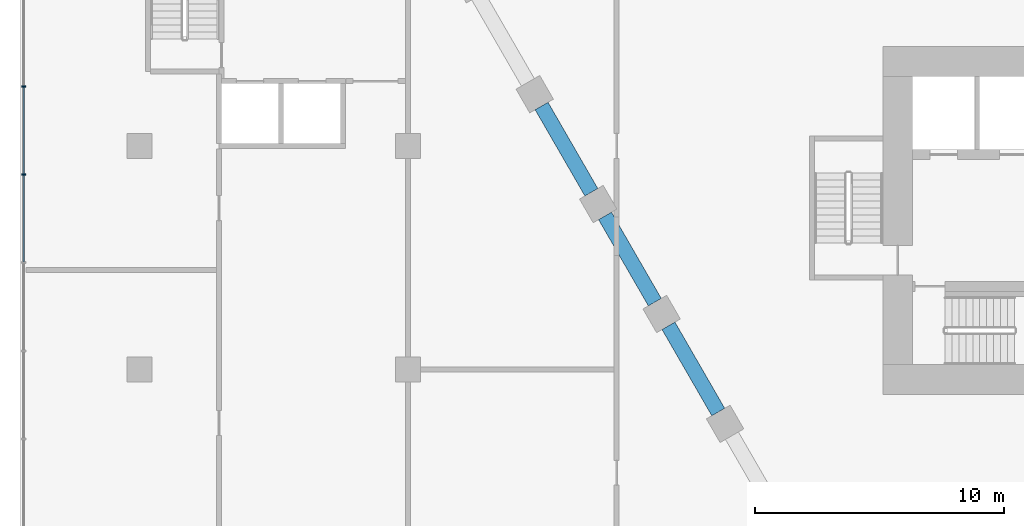
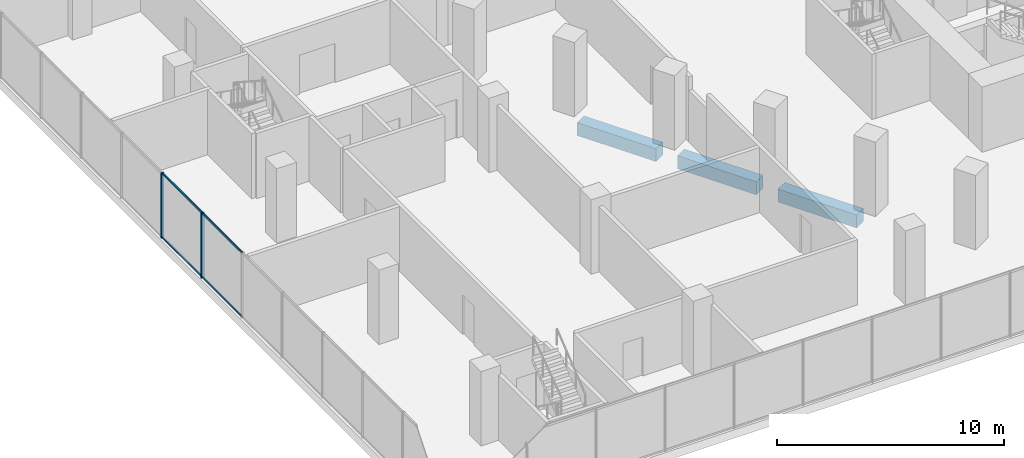
# One storey, part 4 of 45: 6 members, 3 beams, 1 element without a shape of its own.
"""IFC4 building model written with IfcOpenShell, lengths in metres."""

from ifc_helpers import new_model, si_unit, direction, frame, origin, origin_2d, place, context, subcontext, project, spatial, rectangle, hollow_rectangle, extrude, material, material_profile, profile_set, type_object, element, aggregate, save


model = new_model("IFC4")

# Units and contexts
model_context = context("Model", 3, precision=1e-05, world=origin(), true_north=direction((0.0, 1.0)))
body_context = subcontext(model_context, "Body", "Model", "MODEL_VIEW")
ifc_project = project(units=[si_unit("LENGTHUNIT", "METRE"), si_unit("AREAUNIT", "SQUARE_METRE"), si_unit("VOLUMEUNIT", "CUBIC_METRE"), si_unit("PLANEANGLEUNIT", "RADIAN"), si_unit("MASSUNIT", "GRAM", prefix="KILO")], contexts=[model_context])

# Site, building, storey
site_placement = place(None, origin())
site = spatial("IfcSite", under=ifc_project, at=site_placement, CompositionType="ELEMENT")
building_placement = place(site_placement, origin())
building = spatial("IfcBuilding", under=site, at=building_placement, Name="Beryl Residences", CompositionType="ELEMENT")
storey_placement = place(building_placement, frame((0.0, 0.0, 5.0)))
storey = spatial("IfcBuildingStorey", under=building, at=storey_placement, Name="L01", CompositionType="ELEMENT", Elevation=5.0)

# Curtain wall, members
ifc_material_1 = material(Name="Aluminium and clear glass", Category="aluminium")
curtain_wall_type = type_object("IfcCurtainWallType", Name="CW1 shopfront glazed wall", PredefinedType="NOTDEFINED", material=ifc_material_1)
curtain_wall_placement = place(storey_placement, origin())
curtain_wall = element("IfcCurtainWall", 1, at=curtain_wall_placement, inside=storey, type_object=curtain_wall_type, Name="CW1 L01 W", PredefinedType="NOTDEFINED")
ifc_material_2 = material(Name="Aluminium", Category="aluminium")
ifc_material_profile_1 = material_profile(ifc_material_2, rectangle(XDim=0.06005859375, YDim=0.14990234375, at=origin_2d()))
ifc_profile_set_1 = profile_set([ifc_material_profile_1], Name="Aluminium")
member_type_1 = type_object("IfcMemberType", Name="CW1-M mullion 60 x 150 mm", PredefinedType="MULLION", material=ifc_profile_set_1)
member_1_placement = place(storey_placement, frame((-47.85009765625, -6.6201171875, 0.0), z_axis=(0.0, 0.0, 1.0), x_axis=(0.0, -1.0, 0.0)))
member_1 = element("IfcMember", 2, at=member_1_placement, type_object=member_type_1, Name="CW1 mullion 14", PredefinedType="MULLION", context=body_context, shape_type="SweptSolid", body=[
    extrude(rectangle(XDim=0.06005859375, YDim=0.14990234375, at=origin_2d()), origin(), (0.0, 0.0, 1.0), 3.5),
])
member_2_placement = place(storey_placement, frame((-47.85009765625, -10.159912109375, 0.0), z_axis=(0.0, 0.0, 1.0), x_axis=(0.0, -1.0, 0.0)))
member_2 = element("IfcMember", 3, at=member_2_placement, type_object=member_type_1, Name="CW1 mullion 15", PredefinedType="MULLION", context=body_context, shape_type="SweptSolid", body=[
    extrude(rectangle(XDim=0.06005859375, YDim=0.14990234375, at=origin_2d()), origin(), (0.0, 0.0, 1.0), 3.5),
])
ifc_material_3 = material(Name="Aluminium", Category="aluminium")
ifc_material_profile_2 = material_profile(ifc_material_3, hollow_rectangle(XDim=0.06005859375, YDim=0.10009765625, WallThickness=0.00390625, at=origin_2d()))
ifc_profile_set_2 = profile_set([ifc_material_profile_2], Name="Aluminium")
member_type_2 = type_object("IfcMemberType", Name="CW1-T transom 60 x 100 mm", PredefinedType="USERDEFINED", material=ifc_profile_set_2)
member_3_placement = place(storey_placement, frame((-47.85009765625, -6.64990234375, 0.030029296875), z_axis=(0.0, -1.0, 0.0), x_axis=(1.0, 0.0, 0.0)))
member_3 = element("IfcMember", 4, at=member_3_placement, type_object=member_type_2, Name="CW1 transom 14.1", ObjectType="TRANSOM", PredefinedType="USERDEFINED", context=body_context, shape_type="SweptSolid", body=[
    extrude(hollow_rectangle(XDim=0.06005859375, YDim=0.10009765625, WallThickness=0.00390625, at=origin_2d()), origin(), (0.0, 0.0, 1.0), 3.47998046875),
])
member_4_placement = place(storey_placement, frame((-47.85009765625, -6.64990234375, 3.469970703125), z_axis=(0.0, -1.0, 0.0), x_axis=(1.0, 0.0, 0.0)))
member_4 = element("IfcMember", 5, at=member_4_placement, type_object=member_type_2, Name="CW1 transom 14.2", ObjectType="TRANSOM", PredefinedType="USERDEFINED", context=body_context, shape_type="SweptSolid", body=[
    extrude(hollow_rectangle(XDim=0.06005859375, YDim=0.10009765625, WallThickness=0.00390625, at=origin_2d()), origin(), (0.0, 0.0, 1.0), 3.47998046875),
])
member_5_placement = place(storey_placement, frame((-47.85009765625, -10.18994140625, 0.030029296875), z_axis=(0.0, -1.0, 0.0), x_axis=(1.0, 0.0, 0.0)))
member_5 = element("IfcMember", 6, at=member_5_placement, type_object=member_type_2, Name="CW1 transom 15.1", ObjectType="TRANSOM", PredefinedType="USERDEFINED", context=body_context, shape_type="SweptSolid", body=[
    extrude(hollow_rectangle(XDim=0.06005859375, YDim=0.10009765625, WallThickness=0.00390625, at=origin_2d()), origin(), (0.0, 0.0, 1.0), 3.47998046875),
])
member_6_placement = place(storey_placement, frame((-47.85009765625, -10.18994140625, 3.469970703125), z_axis=(0.0, -1.0, 0.0), x_axis=(1.0, 0.0, 0.0)))
member_6 = element("IfcMember", 7, at=member_6_placement, type_object=member_type_2, Name="CW1 transom 15.2", ObjectType="TRANSOM", PredefinedType="USERDEFINED", context=body_context, shape_type="SweptSolid", body=[
    extrude(hollow_rectangle(XDim=0.06005859375, YDim=0.10009765625, WallThickness=0.00390625, at=origin_2d()), origin(), (0.0, 0.0, 1.0), 3.47998046875),
])
aggregate(curtain_wall, [member_1, member_2, member_3, member_4, member_5, member_6])

# Beams
ifc_material_4 = material(Name="Concrete C80/95", Category="concrete")
ifc_material_profile_3 = material_profile(ifc_material_4, rectangle(XDim=0.60009765625, YDim=0.699951171875, at=origin_2d()))
ifc_profile_set_3 = profile_set([ifc_material_profile_3], Name="Concrete C80/95")
beam_type = type_object("IfcBeamType", Name="SB1 spandrel beam 600 x 700 C80/95", PredefinedType="SPANDREL", material=ifc_profile_set_3)
for number, where, z_axis, x_axis, name in (
    (8, (-27.02197265625, -7.39697265625, -0.800048828125), (0.499942357345, -0.866058681229, 0.0), (0.866058681229, 0.499942357345, 0.0), "SB1 L01 SW-1"),
    (9, (-24.469970703125, -11.81689453125, -0.800048828125), (0.499942357345, -0.866058681229, 0.0), (0.866058681229, 0.499942357345, 0.0), "SB1 L01 SW-2"),
    (10, (-21.91796875, -16.237060546875, -0.800048828125), (0.499942357345, -0.866058681229, 0.0), (0.866058681229, 0.499942357345, 0.0), "SB1 L01 SW-3"),
):
    element("IfcBeam", number, at=place(storey_placement, frame(where, z_axis=z_axis, x_axis=x_axis)), inside=storey, type_object=beam_type, Name=name, PredefinedType="SPANDREL", context=body_context, shape_type="SweptSolid", body=[
        extrude(rectangle(XDim=0.60009765625, YDim=0.699951171875, at=origin_2d()), origin(), (0.0, 0.0, 1.0), 4.00439453125),
    ])

save(model, "model.ifc")
